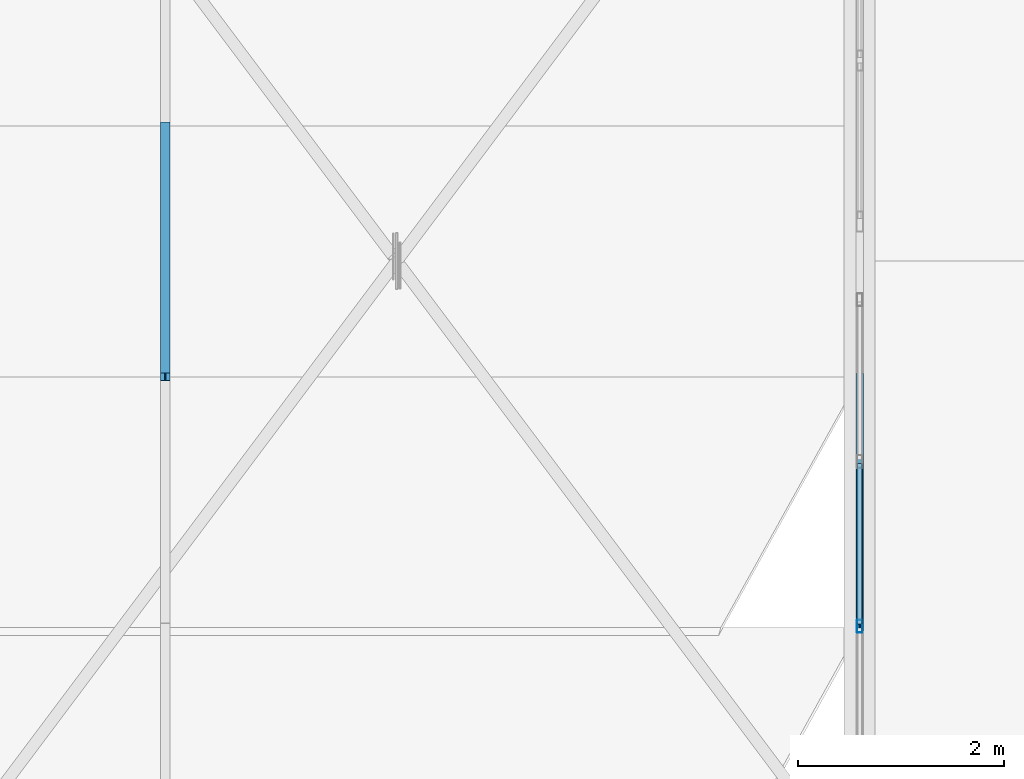
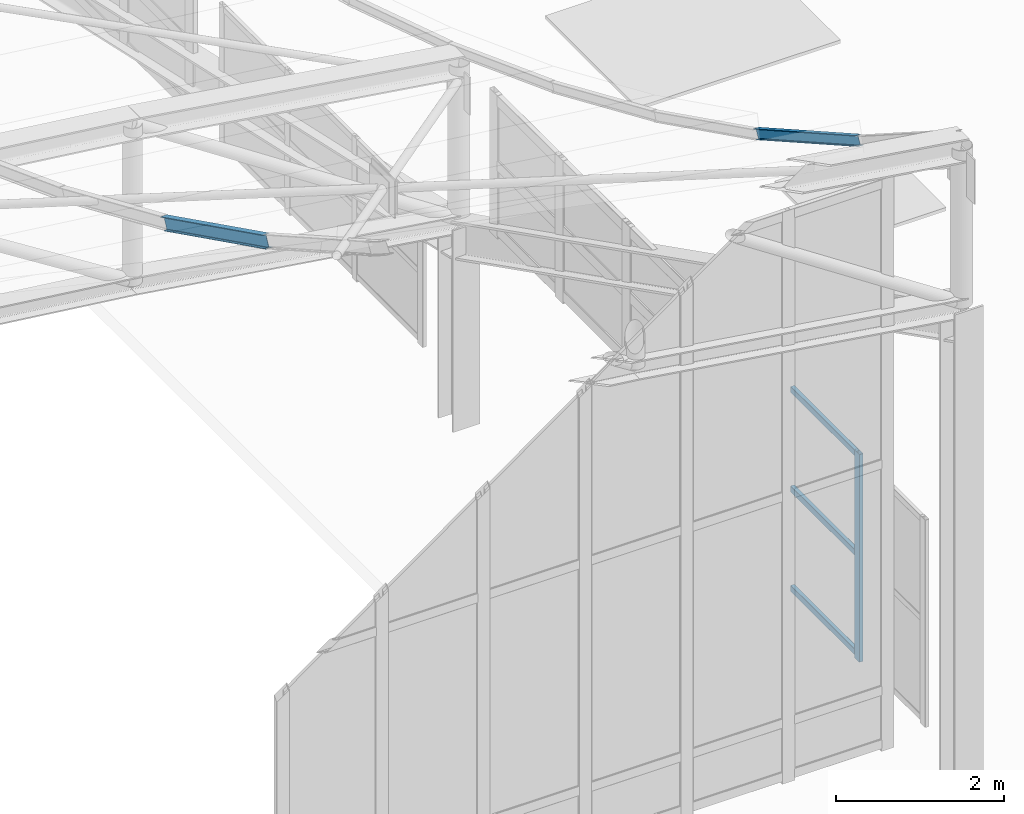
# One storey, part 71 of 262: 6 members, 1 element without a shape of its own.
"""IFC4 building model written with IfcOpenShell, lengths in metres."""

from ifc_helpers import new_model, si_unit, derived_unit, direction, frame, origin, origin_2d, place, context, subcontext, project, spatial, hollow_rectangle, i_section, extrude, material, layer, layer_set, material_profile, profile_set, type_object, element, aggregate, save


model = new_model("IFC4")

# Units and contexts
model_context = context("Model", 3, precision=1e-05, world=origin(), true_north=direction((0.0, 1.0)))
body_context = subcontext(model_context, "Body", "Model", "MODEL_VIEW")
ifc_project = project(units=[si_unit("LENGTHUNIT", "METRE"), si_unit("AREAUNIT", "SQUARE_METRE"), si_unit("VOLUMEUNIT", "CUBIC_METRE"), si_unit("PLANEANGLEUNIT", "RADIAN"), si_unit("MASSUNIT", "GRAM", prefix="KILO"), derived_unit("THERMALTRANSMITTANCEUNIT", [(si_unit("POWERUNIT", "WATT"), 1), (si_unit("LENGTHUNIT", "METRE"), -2), (si_unit("THERMODYNAMICTEMPERATUREUNIT", "KELVIN"), -1)])], contexts=[model_context])

# Site, building, storey
site_placement = place(None, origin())
site = spatial("IfcSite", under=ifc_project, at=site_placement, CompositionType="ELEMENT")
building_placement = place(site_placement, origin())
building = spatial("IfcBuilding", under=site, at=building_placement, Name="Almenara Railside Exhibition Hall", CompositionType="ELEMENT")
storey_placement = place(building_placement, frame((0.0, 0.0, 21.699951171875)))
storey = spatial("IfcBuildingStorey", under=building, at=storey_placement, Name="RF", CompositionType="ELEMENT", Elevation=21.699951171875)

# Member
ifc_material_1 = material(Name="Structural steel S355JR", Category="steel")
ifc_material_profile_1 = material_profile(ifc_material_1, i_section(OverallWidth=0.072998046875, OverallDepth=0.139892578125, WebThickness=0.004638671875, FlangeThickness=0.0068359375, FilletRadius=0.007080078125, at=origin_2d()), Name="IPE 140")
ifc_profile_set_1 = profile_set([ifc_material_profile_1], Name="Structural steel S355JR")
member_type_1 = type_object("IfcMemberType", Name="Canopy Edge Purlin IPE 140 S355JR", PredefinedType="PURLIN", material=ifc_profile_set_1)
member_1_placement = place(storey_placement, frame((66.0, 50.436767578125, 7.4833984375), z_axis=(0.0, 0.870445855666, -0.492264169277), x_axis=(-1.0, 0.0, 0.0)))
element("IfcMember", 1, at=member_1_placement, inside=storey, type_object=member_type_1, Name="MEM-PR-V1-PR-IPE140-08-01", PredefinedType="PURLIN", context=body_context, shape_type="SweptSolid", body=[
    extrude(i_section(OverallWidth=0.072998046875, OverallDepth=0.139892578125, WebThickness=0.004638671875, FlangeThickness=0.0068359375, FilletRadius=0.007080078125, at=origin_2d()), origin(), (0.0, 0.0, 1.0), 2.799072265625),
])

# Curtain wall, members
ifc_material_2 = material(Name="Bronze-anodised aluminium and low-E double glazing", Category="aluminium")
ifc_layer = layer(ifc_material_2, 0.179931640625, Name="Bronze-anodised aluminium and low-E double glazing")
ifc_layer_set = layer_set([ifc_layer], Name="Bronze-anodised aluminium and low-E double glazing")
curtain_wall_type = type_object("IfcCurtainWallType", Name="West Hall Clerestory Curtain Wall 4200x2400", PredefinedType="NOTDEFINED", material=ifc_layer_set)
curtain_wall_placement = place(storey_placement, origin())
curtain_wall = element("IfcCurtainWall", 2, at=curtain_wall_placement, inside=storey, type_object=curtain_wall_type, Name="Curtain wall CW-CL1-170", PredefinedType="NOTDEFINED")
ifc_material_3 = material(Name="Bronze-anodised aluminium", Category="aluminium")
ifc_material_profile_2 = material_profile(ifc_material_3, hollow_rectangle(XDim=0.054931640625, YDim=0.125, WallThickness=0.0029296875, InnerFilletRadius=0.0029296875, OuterFilletRadius=0.006103515625, at=origin_2d()), Name="ALU-MUL 55x125x3")
ifc_profile_set_2 = profile_set([ifc_material_profile_2], Name="Bronze-anodised aluminium")
member_type_2 = type_object("IfcMemberType", Name="Curtain Wall Mullion 55x125x3", PredefinedType="MULLION", material=ifc_profile_set_2)
member_2_placement = place(storey_placement, frame((66.0, 50.449951171875, -0.0849609375), z_axis=(0.0, 0.0, 1.0), x_axis=(-1.0, 0.0, 0.0)))
member_2 = element("IfcMember", 3, at=member_2_placement, type_object=member_type_2, Name="CW-CL1-170 mullion 2", PredefinedType="MULLION", context=body_context, shape_type="SweptSolid", body=[
    extrude(hollow_rectangle(XDim=0.054931640625, YDim=0.125, WallThickness=0.0029296875, InnerFilletRadius=0.0029296875, OuterFilletRadius=0.006103515625, at=origin_2d()), origin(), (0.0, 0.0, 1.0), 3.02490234375),
])
ifc_material_profile_3 = material_profile(ifc_material_3, hollow_rectangle(XDim=0.054931640625, YDim=0.090087890625, WallThickness=0.0029296875, InnerFilletRadius=0.0029296875, OuterFilletRadius=0.006103515625, at=origin_2d()), Name="ALU-TRN 55x90x3")
ifc_profile_set_3 = profile_set([ifc_material_profile_3], Name="Bronze-anodised aluminium")
member_type_3 = type_object("IfcMemberType", Name="Curtain Wall Transom 55x90x3", PredefinedType="USERDEFINED", material=ifc_profile_set_3)
member_3_placement = place(storey_placement, frame((66.0, 50.469482421875, -0.0048828125), z_axis=(0.0, 1.0, 0.0), x_axis=(-1.0, 0.0, 0.0)))
member_3 = element("IfcMember", 4, at=member_3_placement, type_object=member_type_3, Name="CW-CL1-170 transom 2.1", ObjectType="TRANSOM", PredefinedType="USERDEFINED", context=body_context, shape_type="SweptSolid", body=[
    extrude(hollow_rectangle(XDim=0.054931640625, YDim=0.090087890625, WallThickness=0.0029296875, InnerFilletRadius=0.0029296875, OuterFilletRadius=0.006103515625, at=origin_2d()), origin(), (0.0, 0.0, 1.0), 1.56103515625),
])
member_4_placement = place(storey_placement, frame((66.0, 50.469482421875, 1.445068359375), z_axis=(0.0, 1.0, 0.0), x_axis=(-1.0, 0.0, 0.0)))
member_4 = element("IfcMember", 5, at=member_4_placement, type_object=member_type_3, Name="CW-CL1-170 transom 2.2", ObjectType="TRANSOM", PredefinedType="USERDEFINED", context=body_context, shape_type="SweptSolid", body=[
    extrude(hollow_rectangle(XDim=0.054931640625, YDim=0.090087890625, WallThickness=0.0029296875, InnerFilletRadius=0.0029296875, OuterFilletRadius=0.006103515625, at=origin_2d()), origin(), (0.0, 0.0, 1.0), 1.56103515625),
])
member_5_placement = place(storey_placement, frame((66.0, 50.469482421875, 2.89501953125), z_axis=(0.0, 1.0, 0.0), x_axis=(-1.0, 0.0, 0.0)))
member_5 = element("IfcMember", 6, at=member_5_placement, type_object=member_type_3, Name="CW-CL1-170 transom 2.3", ObjectType="TRANSOM", PredefinedType="USERDEFINED", context=body_context, shape_type="SweptSolid", body=[
    extrude(hollow_rectangle(XDim=0.054931640625, YDim=0.090087890625, WallThickness=0.0029296875, InnerFilletRadius=0.0029296875, OuterFilletRadius=0.006103515625, at=origin_2d()), origin(), (0.0, 0.0, 1.0), 1.56103515625),
])
aggregate(curtain_wall, [member_2, member_3, member_4, member_5])

# Member
ifc_material_profile_4 = material_profile(ifc_material_1, i_section(OverallWidth=0.091064453125, OverallDepth=0.179931640625, WebThickness=0.00537109375, FlangeThickness=0.008056640625, FilletRadius=0.009033203125, at=origin_2d()), Name="IPE 180")
ifc_profile_set_4 = profile_set([ifc_material_profile_4], Name="Structural steel S355JR")
member_type_4 = type_object("IfcMemberType", Name="Plenary Roof Purlin IPE 180 S355JR", PredefinedType="PURLIN", material=ifc_profile_set_4)
member_6_placement = place(storey_placement, frame((59.25, 52.873291015625, 6.90087890625), z_axis=(0.0, 0.895376074457, -0.445310773831), x_axis=(-1.0, 0.0, 0.0)))
element("IfcMember", 7, at=member_6_placement, inside=storey, type_object=member_type_4, Name="MEM-PR-V1-PR-IPE180-07-02", PredefinedType="PURLIN", context=body_context, shape_type="SweptSolid", body=[
    extrude(i_section(OverallWidth=0.091064453125, OverallDepth=0.179931640625, WebThickness=0.00537109375, FlangeThickness=0.008056640625, FilletRadius=0.009033203125, at=origin_2d()), origin(), (0.0, 0.0, 1.0), 2.721435546875),
])

save(model, "model.ifc")
